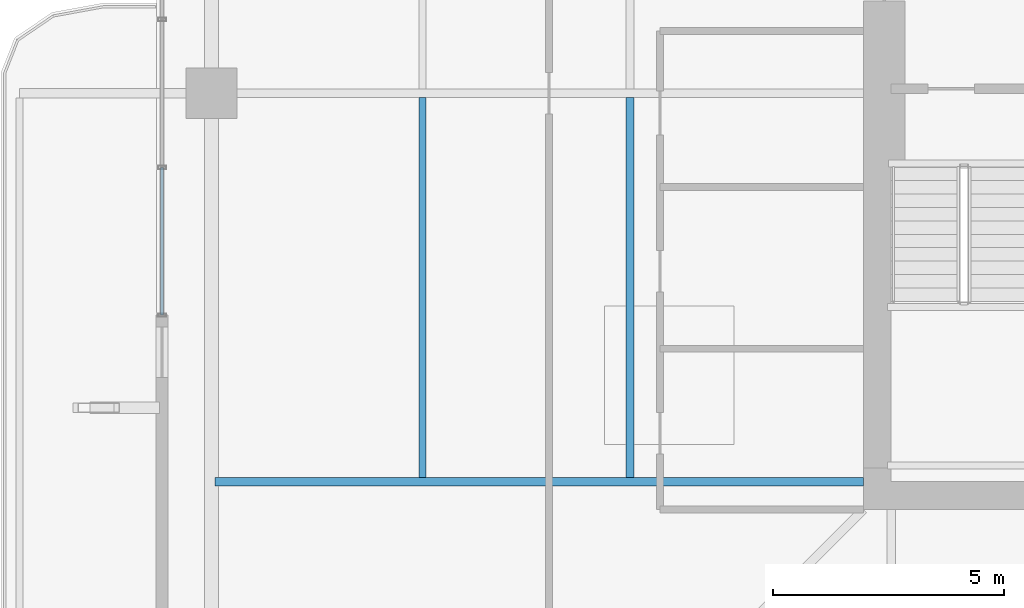
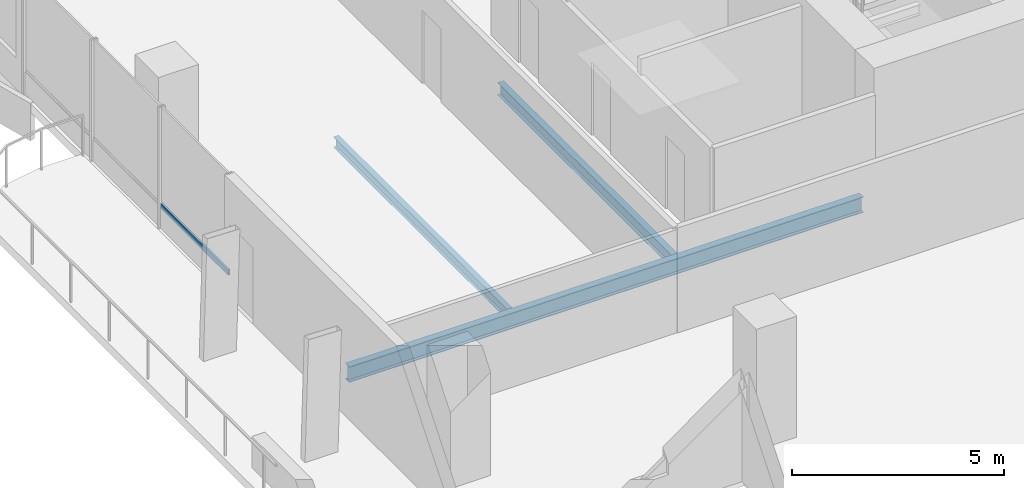
# One storey, part 5 of 23: 3 beams, 1 member, 1 element without a shape of its own.
"""IFC4 building model written with IfcOpenShell, lengths in metres."""

from ifc_helpers import new_model, si_unit, direction, frame, origin, origin_2d, place, context, subcontext, project, spatial, hollow_rectangle, i_section, extrude, material, layer, layer_set, material_profile, profile_set, type_object, element, aggregate, save


model = new_model("IFC4")

# Units and contexts
model_context = context("Model", 3, precision=1e-05, world=origin(), true_north=direction((0.0, 1.0)))
body_context = subcontext(model_context, "Body", "Model", "MODEL_VIEW")
ifc_project = project(units=[si_unit("LENGTHUNIT", "METRE"), si_unit("AREAUNIT", "SQUARE_METRE"), si_unit("VOLUMEUNIT", "CUBIC_METRE"), si_unit("PLANEANGLEUNIT", "RADIAN"), si_unit("MASSUNIT", "GRAM", prefix="KILO")], contexts=[model_context])

# Site, building, storey
site_placement = place(None, origin())
site = spatial("IfcSite", under=ifc_project, at=site_placement, CompositionType="ELEMENT")
building_placement = place(site_placement, origin())
building = spatial("IfcBuilding", under=site, at=building_placement, Name="Belovzor Exchange Tower", CompositionType="ELEMENT")
storey_placement = place(building_placement, frame((0.0, 0.0, 157.050048828125)))
storey = spatial("IfcBuildingStorey", under=building, at=storey_placement, Name="L38", CompositionType="ELEMENT", Elevation=157.050048828125)

# Beams
ifc_material_1 = material(Name="Steel S355", Category="steel")
ifc_material_profile_1 = material_profile(ifc_material_1, i_section(OverallWidth=0.169921875, OverallDepth=0.360107421875, WebThickness=0.008056640625, FlangeThickness=0.0126953125, at=origin_2d()))
ifc_profile_set_1 = profile_set([ifc_material_profile_1], Name="Steel S355")
beam_type_1 = type_object("IfcBeamType", Name="Secondary Infill Floor Joist IPE 360", PredefinedType="BEAM", material=ifc_profile_set_1)
beam_1_placement = place(storey_placement, frame((14.7509765625, 20.4951171875, -0.43505859375), z_axis=(0.0, 1.0, 0.0), x_axis=(-1.0, 0.0, 0.0)))
element("IfcBeam", 1, at=beam_1_placement, inside=storey, type_object=beam_type_1, Name="FJ-360 Secondary Infill Floor Joist IPE 360", PredefinedType="BEAM", context=body_context, shape_type="SweptSolid", body=[
    extrude(i_section(OverallWidth=0.169921875, OverallDepth=0.360107421875, WebThickness=0.008056640625, FlangeThickness=0.0126953125, at=origin_2d()), origin(), (0.0, 0.0, 1.0), 8.2099609375),
])
ifc_material_2 = material(Name="Steel S355", Category="steel")
ifc_material_profile_2 = material_profile(ifc_material_2, i_section(OverallWidth=0.14990234375, OverallDepth=0.300048828125, WebThickness=0.007080078125, FlangeThickness=0.0107421875, at=origin_2d()))
ifc_profile_set_2 = profile_set([ifc_material_profile_2], Name="Steel S355")
beam_type_2 = type_object("IfcBeamType", Name="Secondary Trim Floor Joist IPE 300", PredefinedType="BEAM", material=ifc_profile_set_2)
beam_2_placement = place(storey_placement, frame((10.262939453125, 20.4951171875, -0.405029296875), z_axis=(0.0, 1.0, 0.0), x_axis=(-1.0, 0.0, 0.0)))
element("IfcBeam", 2, at=beam_2_placement, inside=storey, type_object=beam_type_2, Name="FJ-300 Secondary Trim Floor Joist IPE 300", PredefinedType="BEAM", context=body_context, shape_type="SweptSolid", body=[
    extrude(i_section(OverallWidth=0.14990234375, OverallDepth=0.300048828125, WebThickness=0.007080078125, FlangeThickness=0.0107421875, at=origin_2d()), origin(), (0.0, 0.0, 1.0), 8.2099609375),
])

# Curtain wall, member
ifc_material_3 = material(Name="Anodised Aluminium Framing", Category="aluminium")
ifc_layer = layer(ifc_material_3, 0.179931640625)
ifc_layer_set = layer_set([ifc_layer], Name="Anodised Aluminium Framing")
curtain_wall_type = type_object("IfcCurtainWallType", Name="Recessed Loggia Low-Iron Triple-Glazed Curtain Wall", PredefinedType="NOTDEFINED", material=ifc_layer_set)
curtain_wall_placement = place(storey_placement, origin())
curtain_wall = element("IfcCurtainWall", 3, at=curtain_wall_placement, inside=storey, type_object=curtain_wall_type, Name="CW3 Recessed Loggia Low-Iron Triple-Glazed Curtain Wall L38", PredefinedType="NOTDEFINED")
ifc_material_4 = material(Name="Steel S355", Category="steel")
ifc_material_profile_3 = material_profile(ifc_material_4, hollow_rectangle(XDim=0.06005859375, YDim=0.14990234375, WallThickness=0.00390625, at=origin_2d()))
ifc_profile_set_3 = profile_set([ifc_material_profile_3], Name="Steel S355")
member_type = type_object("IfcMemberType", Name="Thermally Broken Curtain Wall Transom 150x60", PredefinedType="USERDEFINED", material=ifc_profile_set_3)
member_placement = place(storey_placement, frame((4.6298828125, 24.008056640625, 0.62890625), z_axis=(0.0, 1.0, 0.0), x_axis=(-1.0, 0.0, 0.0)))
member = element("IfcMember", 4, at=member_placement, type_object=member_type, Name="CW-T150 Curtain Wall Transom 1", ObjectType="TRANSOM", PredefinedType="USERDEFINED", context=body_context, shape_type="SweptSolid", body=[
    extrude(hollow_rectangle(XDim=0.06005859375, YDim=0.14990234375, WallThickness=0.00390625, at=origin_2d()), origin(), (0.0, 0.0, 1.0), 3.183837890625),
])
aggregate(curtain_wall, [member])

# Beam
ifc_material_5 = material(Name="Steel S355", Category="steel")
ifc_material_profile_4 = material_profile(ifc_material_5, i_section(OverallWidth=0.18994140625, OverallDepth=0.449951171875, WebThickness=0.009521484375, FlangeThickness=0.0146484375, at=origin_2d()))
ifc_profile_set_4 = profile_set([ifc_material_profile_4], Name="Steel S355")
beam_type_3 = type_object("IfcBeamType", Name="Zone 2-4 Radial Composite Floor Beam IPE 450", PredefinedType="BEAM", material=ifc_profile_set_4)
beam_3_placement = place(storey_placement, frame((19.800048828125, 20.39990234375, -0.47998046875), z_axis=(-1.0, 0.0, 0.0), x_axis=(0.0, -1.0, 0.0)))
element("IfcBeam", 5, at=beam_3_placement, inside=storey, type_object=beam_type_3, Name="FB-450 Zone 2-4 Radial Composite Floor Beam IPE 450", PredefinedType="BEAM", context=body_context, shape_type="SweptSolid", body=[
    extrude(i_section(OverallWidth=0.18994140625, OverallDepth=0.449951171875, WebThickness=0.009521484375, FlangeThickness=0.0146484375, at=origin_2d()), origin(), (0.0, 0.0, 1.0), 14.025146484375),
])

save(model, "model.ifc")
